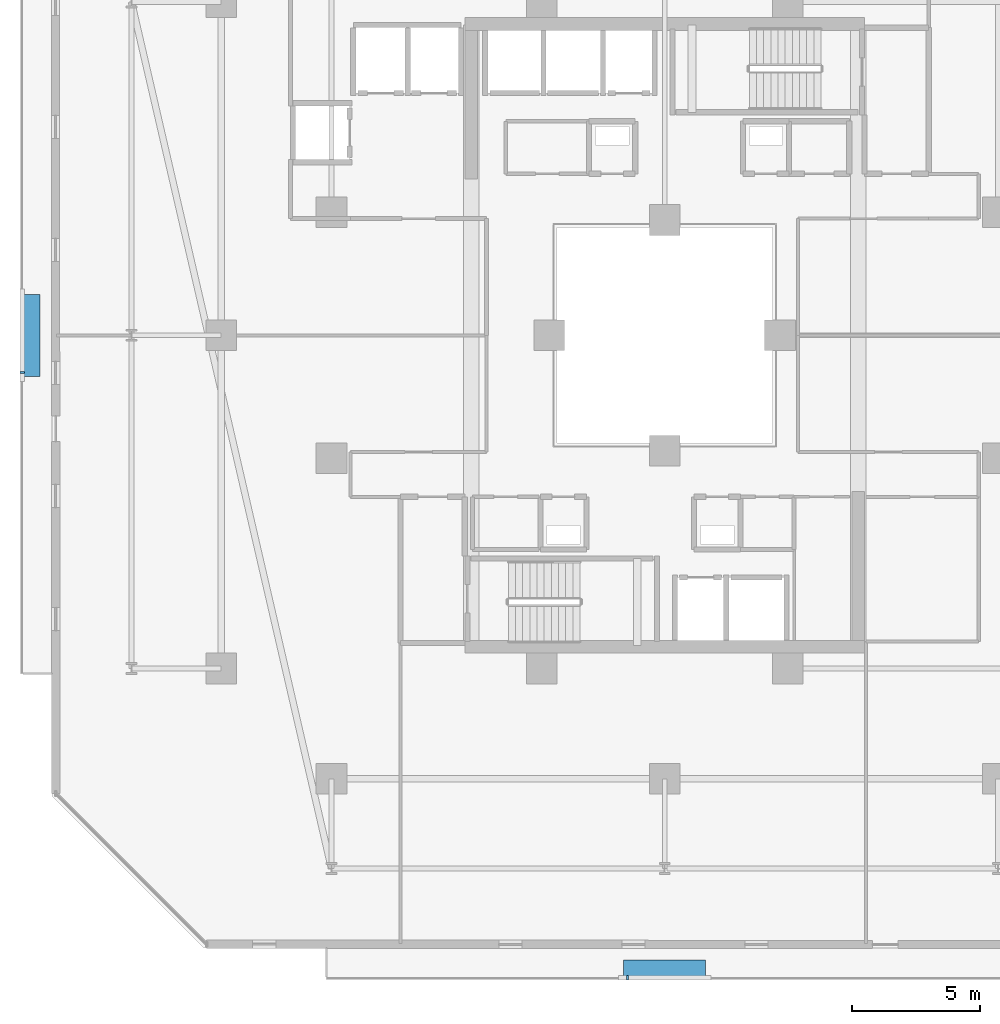
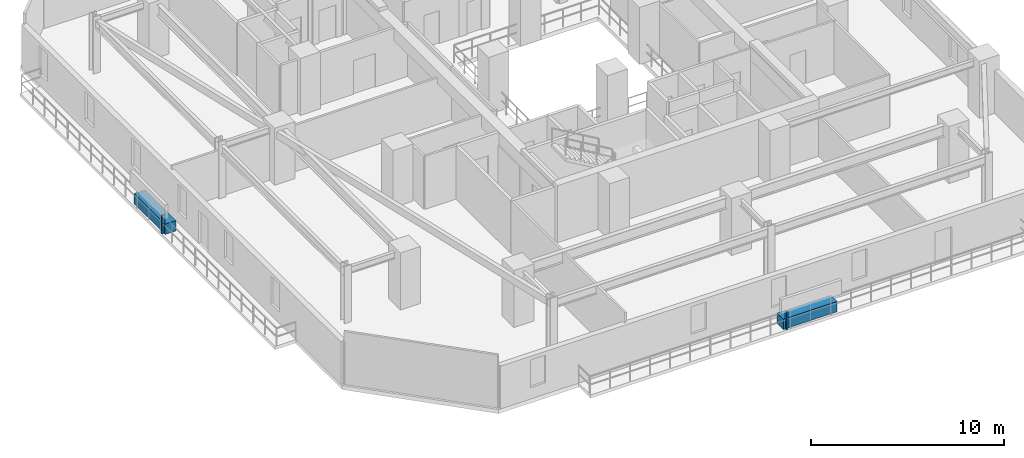
# One storey, part 26 of 32: 4 discrete accessories.
"""IFC4 building model written with IfcOpenShell, lengths in metres."""

from ifc_helpers import new_model, si_unit, direction, frame, origin, origin_2d, place, context, subcontext, project, spatial, rectangle, extrude, material, type_object, element, save


model = new_model("IFC4")

# Units and contexts
model_context = context("Model", 3, precision=1e-05, world=origin(), true_north=direction((0.0, 1.0)))
body_context = subcontext(model_context, "Body", "Model", "MODEL_VIEW")
ifc_project = project(units=[si_unit("LENGTHUNIT", "METRE"), si_unit("AREAUNIT", "SQUARE_METRE"), si_unit("VOLUMEUNIT", "CUBIC_METRE"), si_unit("PLANEANGLEUNIT", "RADIAN"), si_unit("MASSUNIT", "GRAM", prefix="KILO")], contexts=[model_context])

# Site, building, storey
site_placement = place(None, origin())
site = spatial("IfcSite", under=ifc_project, at=site_placement, CompositionType="ELEMENT")
building_placement = place(site_placement, origin())
building = spatial("IfcBuilding", under=site, at=building_placement, Name="Thornwick Lancets Civic Towers", CompositionType="ELEMENT")
storey_placement = place(building_placement, frame((0.0, 0.0, 123.300048828125)))
storey = spatial("IfcBuildingStorey", under=building, at=storey_placement, Name="L32", CompositionType="ELEMENT", Elevation=123.300048828125)

# Discrete accessories
ifc_material_1 = material(Name="Planted terracotta greenery planter", Category="masonry")
discrete_accessory_type_1 = type_object("IfcDiscreteAccessoryType", Name="ACC_PLANTER_BOX", PredefinedType="USERDEFINED", material=ifc_material_1)
discrete_accessory_1_placement = place(storey_placement, frame((25.5, 2.300048828125, 0.0), z_axis=(0.0, 0.0, 1.0), x_axis=(1.0, 0.0, 0.0)))
element("IfcDiscreteAccessory", 1, at=discrete_accessory_1_placement, inside=storey, type_object=discrete_accessory_type_1, Name="L32 Tower A Balcony Greenery Planter S", ObjectType="PLANTER", PredefinedType="USERDEFINED", context=body_context, shape_type="SweptSolid", body=[
    extrude(rectangle(XDim=3.199951171875, YDim=0.64990234375, at=origin_2d()), origin(), (0.0, 0.0, 1.0), 0.64990234375),
])
discrete_accessory_2_placement = place(storey_placement, frame((0.800048828125, 27.0, 0.0), z_axis=(0.0, 0.0, 1.0), x_axis=(1.0, 0.0, 0.0)))
element("IfcDiscreteAccessory", 2, at=discrete_accessory_2_placement, inside=storey, type_object=discrete_accessory_type_1, Name="L32 Tower A Balcony Greenery Planter W", ObjectType="PLANTER", PredefinedType="USERDEFINED", context=body_context, shape_type="SweptSolid", body=[
    extrude(rectangle(XDim=0.64990234375, YDim=3.199951171875, at=origin_2d()), origin(), (0.0, 0.0, 1.0), 0.64990234375),
])
ifc_material_2 = material(Name="Stainless steel S355", Category="steel")
discrete_accessory_type_2 = type_object("IfcDiscreteAccessoryType", Name="ACC_SCREEN_BRACKET", PredefinedType="BRACKET", material=ifc_material_2)
for number, where, z_axis, x_axis, name in (
    (3, (24.050048828125, 1.93994140625, 0.0), (0.0, 0.0, 1.0), (1.0, 0.0, 0.0), "L32 Tower A Balcony Screen Stanchion Bracket S-1"),
    (4, (0.43994140625, 25.550048828125, 0.0), (0.0, 0.0, 1.0), (0.0, 1.0, 0.0), "L32 Tower A Balcony Screen Stanchion Bracket W-1"),
):
    element("IfcDiscreteAccessory", number, at=place(storey_placement, frame(where, z_axis=z_axis, x_axis=x_axis)), inside=storey, type_object=discrete_accessory_type_2, Name=name, PredefinedType="BRACKET", context=body_context, shape_type="SweptSolid", body=[
        extrude(rectangle(XDim=0.080078125, YDim=0.179931640625, at=origin_2d()), origin(), (0.0, 0.0, 1.0), 1.14990234375),
    ])

save(model, "model.ifc")
